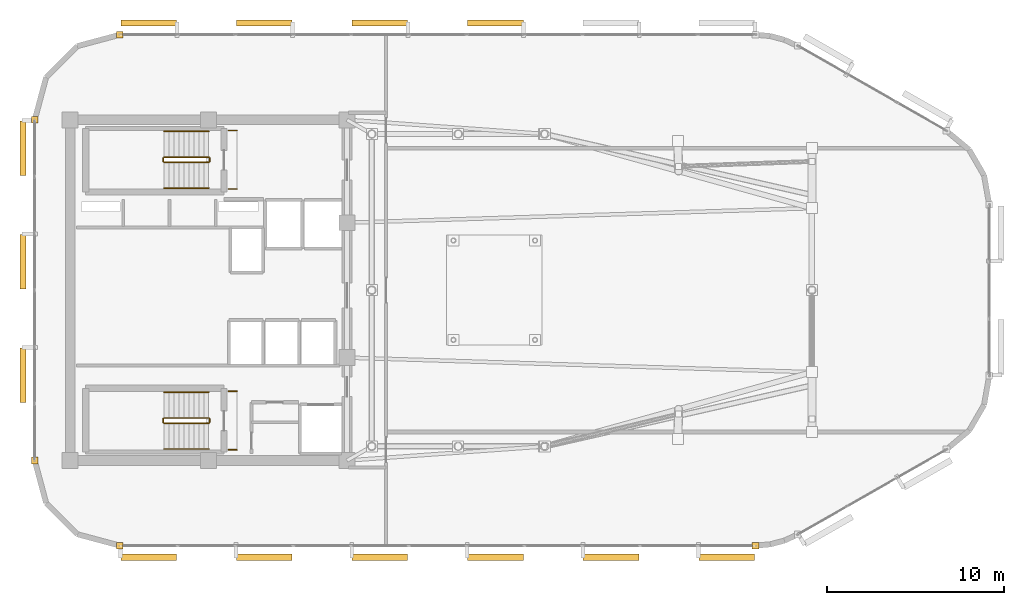
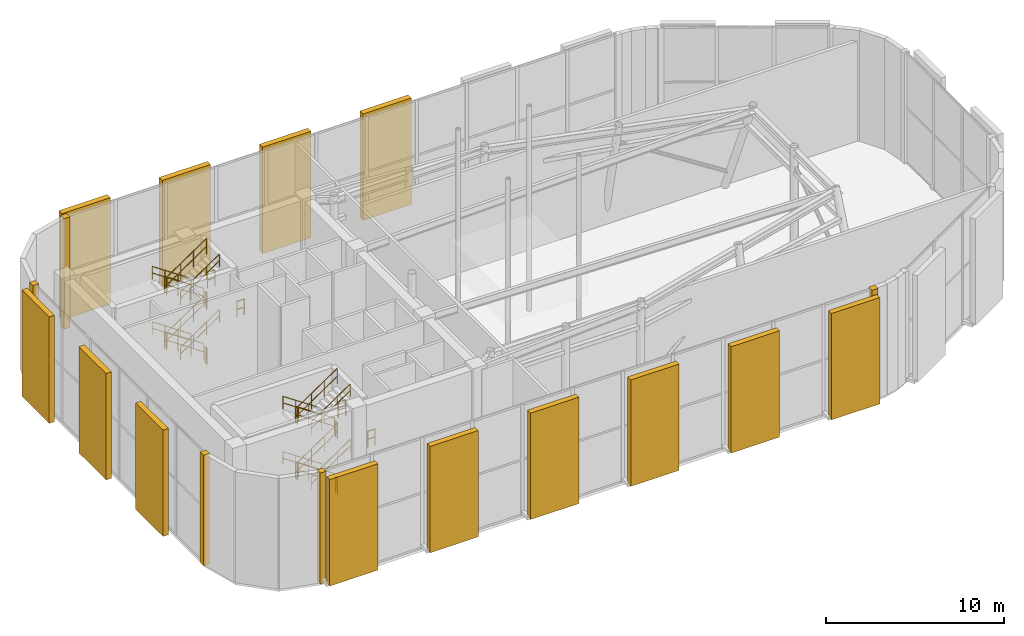
# One storey, part 21 of 22: 28 railings, 13 shading devices, 5 coverings.
"""IFC4 building model written with IfcOpenShell, lengths in metres."""

from ifc_helpers import new_model, si_unit, direction, frame, origin, origin_2d, place, context, subcontext, project, spatial, rectangle, circle, extrude, material, layer, layer_set, type_object, element, save


model = new_model("IFC4")

# Units and contexts
model_context = context("Model", 3, precision=1e-05, world=origin(), true_north=direction((0.0, 1.0)))
body_context = subcontext(model_context, "Body", "Model", "MODEL_VIEW")
ifc_project = project(units=[si_unit("LENGTHUNIT", "METRE"), si_unit("AREAUNIT", "SQUARE_METRE"), si_unit("VOLUMEUNIT", "CUBIC_METRE"), si_unit("PLANEANGLEUNIT", "RADIAN"), si_unit("MASSUNIT", "GRAM", prefix="KILO")], contexts=[model_context])

# Site, building, storey
site_placement = place(None, origin())
site = spatial("IfcSite", under=ifc_project, at=site_placement, CompositionType="ELEMENT")
building_placement = place(site_placement, origin())
building = spatial("IfcBuilding", under=site, at=building_placement, Name="An Khanh Terracotta Commons", CompositionType="ELEMENT")
storey_placement = place(building_placement, frame((0.0, 0.0, 300.39990234375)))
storey = spatial("IfcBuildingStorey", under=building, at=storey_placement, Name="L78 Crown Damper Chamber", CompositionType="ELEMENT", Elevation=300.39990234375)

# Coverings
ifc_material_1 = material(Name="Fired Terracotta Rainscreen Cladding", Category="masonry")
ifc_layer = layer(ifc_material_1, 0.080078125, Name="Fired Terracotta Rainscreen Cladding")
ifc_layer_set = layer_set([ifc_layer], Name="Fired Terracotta Rainscreen Cladding")
covering_type = type_object("IfcCoveringType", Name="COV-JAMB-TERRA", PredefinedType="CLADDING", material=ifc_layer_set)
for number, where, z_axis, x_axis, name in (
    (1, (24.39990234375, 9.60009765625, 0.0), (0.0, 0.0, 1.0), (1.0, 0.0, 0.0), "L78 Crown Damper Chamber CW-05 Curtain-Wall Jamb Closure JA"),
    (2, (60.22509765625, 9.60009765625, 0.0), (0.0, 0.0, 1.0), (1.0, 0.0, 0.0), "L78 Crown Damper Chamber CW-05 Curtain-Wall Jamb Closure JB"),
    (3, (24.39990234375, 38.39990234375, 0.0), (0.0, 0.0, 1.0), (1.0, 0.0, 0.0), "L78 Crown Damper Chamber CW-05 Curtain-Wall Jamb Closure JB"),
    (4, (19.60009765625, 33.60009765625, 0.0), (0.0, 0.0, 1.0), (1.0, 0.0, 0.0), "L78 Crown Damper Chamber CW-05 Curtain-Wall Jamb Closure JA"),
    (5, (19.60009765625, 14.39990234375, 0.0), (0.0, 0.0, 1.0), (1.0, 0.0, 0.0), "L78 Crown Damper Chamber CW-05 Curtain-Wall Jamb Closure JB"),
):
    element("IfcCovering", number, at=place(storey_placement, frame(where, z_axis=z_axis, x_axis=x_axis)), inside=storey, type_object=covering_type, Name=name, PredefinedType="CLADDING", context=body_context, shape_type="SweptSolid", body=[
        extrude(rectangle(XDim=0.3798828125, YDim=0.3798828125, at=origin_2d()), origin(), (0.0, 0.0, 1.0), 7.60009765625),
    ])

# Railings
ifc_material_2 = material(Name="Brushed Stainless Steel 316", Category="steel")
railing_type_1 = type_object("IfcRailingType", Name="RAIL-HANDRAIL-900", PredefinedType="HANDRAIL", material=ifc_material_2)
railing_1_placement = place(storey_placement, frame((29.409912109375, 32.949951171875, 0.190185546875)))
element("IfcRailing", 6, at=railing_1_placement, inside=storey, type_object=railing_type_1, Name="L78 Crown Damper Chamber ST-01 stair handrail 1", PredefinedType="HANDRAIL", context=body_context, shape_type="SweptSolid", body=[
    extrude(circle(Radius=0.02392578125, at=origin_2d()), frame((0.0, 0.0, 0.8759765625), z_axis=(-0.827483756001, 0.0, 0.561489655786), x_axis=(0.0, -1.0, 0.0)), (0.0, 0.0, 1.0), 3.04541015625),
    extrude(circle(Radius=0.02392578125, at=origin_2d()), frame((0.0, 0.0, 0.42578125), z_axis=(-0.827483756001, 0.0, 0.561489655786), x_axis=(0.0, -1.0, 0.0)), (0.0, 0.0, 1.0), 3.04541015625),
    extrude(circle(Radius=0.02099609375, at=origin_2d()), origin(), (0.0, 0.0, 1.0), 0.851806640625),
    extrude(circle(Radius=0.02099609375, at=origin_2d()), frame((-0.840087890625, 0.0, 0.570068359375)), (0.0, 0.0, 1.0), 0.851806640625),
    extrude(circle(Radius=0.02099609375, at=origin_2d()), frame((-1.679931640625, 0.0, 1.139892578125)), (0.0, 0.0, 1.0), 0.851806640625),
    extrude(circle(Radius=0.02099609375, at=origin_2d()), frame((-2.52001953125, 0.0, 1.7099609375)), (0.0, 0.0, 1.0), 0.851806640625),
])
railing_2_placement = place(storey_placement, frame((26.889892578125, 29.75, 2.090087890625)))
element("IfcRailing", 7, at=railing_2_placement, inside=storey, type_object=railing_type_1, Name="L78 Crown Damper Chamber ST-01 stair handrail 2", PredefinedType="HANDRAIL", context=body_context, shape_type="SweptSolid", body=[
    extrude(circle(Radius=0.02392578125, at=origin_2d()), frame((0.0, 0.0, 0.8759765625), z_axis=(0.827483756001, 0.0, 0.561489655786), x_axis=(0.0, 1.0, 0.0)), (0.0, 0.0, 1.0), 3.04541015625),
    extrude(circle(Radius=0.02392578125, at=origin_2d()), frame((0.0, 0.0, 0.42578125), z_axis=(0.827483756001, 0.0, 0.561489655786), x_axis=(0.0, 1.0, 0.0)), (0.0, 0.0, 1.0), 3.04541015625),
    extrude(circle(Radius=0.02099609375, at=origin_2d()), origin(), (0.0, 0.0, 1.0), 0.851806640625),
    extrude(circle(Radius=0.02099609375, at=origin_2d()), frame((0.840087890625, 0.0, 0.570068359375)), (0.0, 0.0, 1.0), 0.851806640625),
    extrude(circle(Radius=0.02099609375, at=origin_2d()), frame((1.679931640625, 0.0, 1.139892578125)), (0.0, 0.0, 1.0), 0.851806640625),
    extrude(circle(Radius=0.02099609375, at=origin_2d()), frame((2.52001953125, 0.0, 1.7099609375)), (0.0, 0.0, 1.0), 0.851806640625),
])
railing_3_placement = place(storey_placement, frame((29.409912109375, 32.949951171875, 3.989990234375)))
element("IfcRailing", 8, at=railing_3_placement, inside=storey, type_object=railing_type_1, Name="L78 Crown Damper Chamber ST-01 stair handrail 3", PredefinedType="HANDRAIL", context=body_context, shape_type="SweptSolid", body=[
    extrude(circle(Radius=0.02392578125, at=origin_2d()), frame((0.0, 0.0, 0.8759765625), z_axis=(-0.82744650838, 0.0, 0.561544544778), x_axis=(0.0, -1.0, 0.0)), (0.0, 0.0, 1.0), 3.045654296875),
    extrude(circle(Radius=0.02392578125, at=origin_2d()), frame((0.0, 0.0, 0.42578125), z_axis=(-0.82744650838, 0.0, 0.561544544778), x_axis=(0.0, -1.0, 0.0)), (0.0, 0.0, 1.0), 3.045654296875),
    extrude(circle(Radius=0.02099609375, at=origin_2d()), origin(), (0.0, 0.0, 1.0), 0.851806640625),
    extrude(circle(Radius=0.02099609375, at=origin_2d()), frame((-0.840087890625, 0.0, 0.570068359375)), (0.0, 0.0, 1.0), 0.851806640625),
    extrude(circle(Radius=0.02099609375, at=origin_2d()), frame((-1.679931640625, 0.0, 1.14013671875)), (0.0, 0.0, 1.0), 0.851806640625),
    extrude(circle(Radius=0.02099609375, at=origin_2d()), frame((-2.52001953125, 0.0, 1.710205078125)), (0.0, 0.0, 1.0), 0.851806640625),
])
railing_4_placement = place(storey_placement, frame((26.889892578125, 29.75, 5.89013671875)))
element("IfcRailing", 9, at=railing_4_placement, inside=storey, type_object=railing_type_1, Name="L78 Crown Damper Chamber ST-01 stair handrail 4", PredefinedType="HANDRAIL", context=body_context, shape_type="SweptSolid", body=[
    extrude(circle(Radius=0.02392578125, at=origin_2d()), frame((0.0, 0.0, 0.8759765625), z_axis=(0.827483756001, 0.0, 0.561489655786), x_axis=(0.0, 1.0, 0.0)), (0.0, 0.0, 1.0), 3.04541015625),
    extrude(circle(Radius=0.02392578125, at=origin_2d()), frame((0.0, 0.0, 0.42578125), z_axis=(0.827483756001, 0.0, 0.561489655786), x_axis=(0.0, 1.0, 0.0)), (0.0, 0.0, 1.0), 3.04541015625),
    extrude(circle(Radius=0.02099609375, at=origin_2d()), origin(), (0.0, 0.0, 1.0), 0.851806640625),
    extrude(circle(Radius=0.02099609375, at=origin_2d()), frame((0.840087890625, 0.0, 0.570068359375)), (0.0, 0.0, 1.0), 0.851806640625),
    extrude(circle(Radius=0.02099609375, at=origin_2d()), frame((1.679931640625, 0.0, 1.139892578125)), (0.0, 0.0, 1.0), 0.851806640625),
    extrude(circle(Radius=0.02099609375, at=origin_2d()), frame((2.52001953125, 0.0, 1.7099609375)), (0.0, 0.0, 1.0), 0.851806640625),
])
railing_5_placement = place(storey_placement, frame((29.409912109375, 18.25, 0.190185546875)))
element("IfcRailing", 10, at=railing_5_placement, inside=storey, type_object=railing_type_1, Name="L78 Crown Damper Chamber ST-02 stair handrail 1", PredefinedType="HANDRAIL", context=body_context, shape_type="SweptSolid", body=[
    extrude(circle(Radius=0.02392578125, at=origin_2d()), frame((0.0, 0.0, 0.8759765625), z_axis=(-0.827483756001, 0.0, 0.561489655786), x_axis=(0.0, -1.0, 0.0)), (0.0, 0.0, 1.0), 3.04541015625),
    extrude(circle(Radius=0.02392578125, at=origin_2d()), frame((0.0, 0.0, 0.42578125), z_axis=(-0.827483756001, 0.0, 0.561489655786), x_axis=(0.0, -1.0, 0.0)), (0.0, 0.0, 1.0), 3.04541015625),
    extrude(circle(Radius=0.02099609375, at=origin_2d()), origin(), (0.0, 0.0, 1.0), 0.851806640625),
    extrude(circle(Radius=0.02099609375, at=origin_2d()), frame((-0.840087890625, 0.0, 0.570068359375)), (0.0, 0.0, 1.0), 0.851806640625),
    extrude(circle(Radius=0.02099609375, at=origin_2d()), frame((-1.679931640625, 0.0, 1.139892578125)), (0.0, 0.0, 1.0), 0.851806640625),
    extrude(circle(Radius=0.02099609375, at=origin_2d()), frame((-2.52001953125, 0.0, 1.7099609375)), (0.0, 0.0, 1.0), 0.851806640625),
])
railing_6_placement = place(storey_placement, frame((26.889892578125, 15.050048828125, 2.090087890625)))
element("IfcRailing", 11, at=railing_6_placement, inside=storey, type_object=railing_type_1, Name="L78 Crown Damper Chamber ST-02 stair handrail 2", PredefinedType="HANDRAIL", context=body_context, shape_type="SweptSolid", body=[
    extrude(circle(Radius=0.02392578125, at=origin_2d()), frame((0.0, 0.0, 0.8759765625), z_axis=(0.827483756001, 0.0, 0.561489655786), x_axis=(0.0, 1.0, 0.0)), (0.0, 0.0, 1.0), 3.04541015625),
    extrude(circle(Radius=0.02392578125, at=origin_2d()), frame((0.0, 0.0, 0.42578125), z_axis=(0.827483756001, 0.0, 0.561489655786), x_axis=(0.0, 1.0, 0.0)), (0.0, 0.0, 1.0), 3.04541015625),
    extrude(circle(Radius=0.02099609375, at=origin_2d()), origin(), (0.0, 0.0, 1.0), 0.851806640625),
    extrude(circle(Radius=0.02099609375, at=origin_2d()), frame((0.840087890625, 0.0, 0.570068359375)), (0.0, 0.0, 1.0), 0.851806640625),
    extrude(circle(Radius=0.02099609375, at=origin_2d()), frame((1.679931640625, 0.0, 1.139892578125)), (0.0, 0.0, 1.0), 0.851806640625),
    extrude(circle(Radius=0.02099609375, at=origin_2d()), frame((2.52001953125, 0.0, 1.7099609375)), (0.0, 0.0, 1.0), 0.851806640625),
])
railing_7_placement = place(storey_placement, frame((29.409912109375, 18.25, 3.989990234375)))
element("IfcRailing", 12, at=railing_7_placement, inside=storey, type_object=railing_type_1, Name="L78 Crown Damper Chamber ST-02 stair handrail 3", PredefinedType="HANDRAIL", context=body_context, shape_type="SweptSolid", body=[
    extrude(circle(Radius=0.02392578125, at=origin_2d()), frame((0.0, 0.0, 0.8759765625), z_axis=(-0.82744650838, 0.0, 0.561544544778), x_axis=(0.0, -1.0, 0.0)), (0.0, 0.0, 1.0), 3.045654296875),
    extrude(circle(Radius=0.02392578125, at=origin_2d()), frame((0.0, 0.0, 0.42578125), z_axis=(-0.82744650838, 0.0, 0.561544544778), x_axis=(0.0, -1.0, 0.0)), (0.0, 0.0, 1.0), 3.045654296875),
    extrude(circle(Radius=0.02099609375, at=origin_2d()), origin(), (0.0, 0.0, 1.0), 0.851806640625),
    extrude(circle(Radius=0.02099609375, at=origin_2d()), frame((-0.840087890625, 0.0, 0.570068359375)), (0.0, 0.0, 1.0), 0.851806640625),
    extrude(circle(Radius=0.02099609375, at=origin_2d()), frame((-1.679931640625, 0.0, 1.14013671875)), (0.0, 0.0, 1.0), 0.851806640625),
    extrude(circle(Radius=0.02099609375, at=origin_2d()), frame((-2.52001953125, 0.0, 1.710205078125)), (0.0, 0.0, 1.0), 0.851806640625),
])
railing_8_placement = place(storey_placement, frame((26.889892578125, 15.050048828125, 5.89013671875)))
element("IfcRailing", 13, at=railing_8_placement, inside=storey, type_object=railing_type_1, Name="L78 Crown Damper Chamber ST-02 stair handrail 4", PredefinedType="HANDRAIL", context=body_context, shape_type="SweptSolid", body=[
    extrude(circle(Radius=0.02392578125, at=origin_2d()), frame((0.0, 0.0, 0.8759765625), z_axis=(0.827483756001, 0.0, 0.561489655786), x_axis=(0.0, 1.0, 0.0)), (0.0, 0.0, 1.0), 3.04541015625),
    extrude(circle(Radius=0.02392578125, at=origin_2d()), frame((0.0, 0.0, 0.42578125), z_axis=(0.827483756001, 0.0, 0.561489655786), x_axis=(0.0, 1.0, 0.0)), (0.0, 0.0, 1.0), 3.04541015625),
    extrude(circle(Radius=0.02099609375, at=origin_2d()), origin(), (0.0, 0.0, 1.0), 0.851806640625),
    extrude(circle(Radius=0.02099609375, at=origin_2d()), frame((0.840087890625, 0.0, 0.570068359375)), (0.0, 0.0, 1.0), 0.851806640625),
    extrude(circle(Radius=0.02099609375, at=origin_2d()), frame((1.679931640625, 0.0, 1.139892578125)), (0.0, 0.0, 1.0), 0.851806640625),
    extrude(circle(Radius=0.02099609375, at=origin_2d()), frame((2.52001953125, 0.0, 1.7099609375)), (0.0, 0.0, 1.0), 0.851806640625),
])
ifc_material_3 = material(Name="Powder-Coated Steel S355J2", Category="steel")
railing_type_2 = type_object("IfcRailingType", Name="RAIL-STAIR-GUARD-1100", PredefinedType="BALUSTRADE", material=ifc_material_3)
railing_9_placement = place(storey_placement, frame((29.409912109375, 31.5, 0.190185546875)))
element("IfcRailing", 14, at=railing_9_placement, inside=storey, type_object=railing_type_2, Name="L78 Crown Damper Chamber ST-01 stair guard 1", PredefinedType="BALUSTRADE", context=body_context, shape_type="SweptSolid", body=[
    extrude(circle(Radius=0.02392578125, at=origin_2d()), frame((0.0, 0.0, 1.076171875), z_axis=(-0.827483756001, 0.0, 0.561489655786), x_axis=(0.0, -1.0, 0.0)), (0.0, 0.0, 1.0), 3.04541015625),
    extrude(circle(Radius=0.02392578125, at=origin_2d()), frame((0.0, 0.0, 0.52587890625), z_axis=(-0.827483756001, 0.0, 0.561489655786), x_axis=(0.0, -1.0, 0.0)), (0.0, 0.0, 1.0), 3.04541015625),
    extrude(circle(Radius=0.02099609375, at=origin_2d()), origin(), (0.0, 0.0, 1.0), 1.052001953125),
    extrude(circle(Radius=0.02099609375, at=origin_2d()), frame((-0.840087890625, 0.0, 0.570068359375)), (0.0, 0.0, 1.0), 1.052001953125),
    extrude(circle(Radius=0.02099609375, at=origin_2d()), frame((-1.679931640625, 0.0, 1.139892578125)), (0.0, 0.0, 1.0), 1.052001953125),
    extrude(circle(Radius=0.02099609375, at=origin_2d()), frame((-2.52001953125, 0.0, 1.7099609375)), (0.0, 0.0, 1.0), 1.052001953125),
])
railing_10_placement = place(storey_placement, frame((26.840087890625, 31.449951171875, 1.900146484375)))
element("IfcRailing", 15, at=railing_10_placement, inside=storey, type_object=railing_type_2, Name="L78 Crown Damper Chamber ST-01 stair guard 2", PredefinedType="BALUSTRADE", context=body_context, shape_type="SweptSolid", body=[
    extrude(circle(Radius=0.02392578125, at=origin_2d()), frame((0.0, 0.0, 1.076171875), z_axis=(0.0, -1.0, 0.0), x_axis=(1.0, 0.0, 0.0)), (0.0, 0.0, 1.0), 0.199951171875),
    extrude(circle(Radius=0.02392578125, at=origin_2d()), frame((0.0, 0.0, 0.52587890625), z_axis=(0.0, -1.0, 0.0), x_axis=(1.0, 0.0, 0.0)), (0.0, 0.0, 1.0), 0.199951171875),
    extrude(circle(Radius=0.02099609375, at=origin_2d()), origin(), (0.0, 0.0, 1.0), 1.052001953125),
    extrude(circle(Radius=0.02099609375, at=origin_2d()), frame((0.0, -0.199951171875, 0.0)), (0.0, 0.0, 1.0), 1.052001953125),
])
railing_11_placement = place(storey_placement, frame((26.889892578125, 31.199951171875, 2.090087890625)))
element("IfcRailing", 16, at=railing_11_placement, inside=storey, type_object=railing_type_2, Name="L78 Crown Damper Chamber ST-01 stair guard 3", PredefinedType="BALUSTRADE", context=body_context, shape_type="SweptSolid", body=[
    extrude(circle(Radius=0.02392578125, at=origin_2d()), frame((0.0, 0.0, 1.076171875), z_axis=(0.827483756001, 0.0, 0.561489655786), x_axis=(0.0, 1.0, 0.0)), (0.0, 0.0, 1.0), 3.04541015625),
    extrude(circle(Radius=0.02392578125, at=origin_2d()), frame((0.0, 0.0, 0.52587890625), z_axis=(0.827483756001, 0.0, 0.561489655786), x_axis=(0.0, 1.0, 0.0)), (0.0, 0.0, 1.0), 3.04541015625),
    extrude(circle(Radius=0.02099609375, at=origin_2d()), origin(), (0.0, 0.0, 1.0), 1.052001953125),
    extrude(circle(Radius=0.02099609375, at=origin_2d()), frame((0.840087890625, 0.0, 0.570068359375)), (0.0, 0.0, 1.0), 1.052001953125),
    extrude(circle(Radius=0.02099609375, at=origin_2d()), frame((1.679931640625, 0.0, 1.139892578125)), (0.0, 0.0, 1.0), 1.052001953125),
    extrude(circle(Radius=0.02099609375, at=origin_2d()), frame((2.52001953125, 0.0, 1.7099609375)), (0.0, 0.0, 1.0), 1.052001953125),
])
railing_12_placement = place(storey_placement, frame((29.4599609375, 31.449951171875, 3.800048828125)))
element("IfcRailing", 17, at=railing_12_placement, inside=storey, type_object=railing_type_2, Name="L78 Crown Damper Chamber ST-01 stair guard 4", PredefinedType="BALUSTRADE", context=body_context, shape_type="SweptSolid", body=[
    extrude(circle(Radius=0.02392578125, at=origin_2d()), frame((0.0, 0.0, 1.076171875), z_axis=(0.0, -1.0, 0.0), x_axis=(1.0, 0.0, 0.0)), (0.0, 0.0, 1.0), 0.199951171875),
    extrude(circle(Radius=0.02392578125, at=origin_2d()), frame((0.0, 0.0, 0.52587890625), z_axis=(0.0, -1.0, 0.0), x_axis=(1.0, 0.0, 0.0)), (0.0, 0.0, 1.0), 0.199951171875),
    extrude(circle(Radius=0.02099609375, at=origin_2d()), origin(), (0.0, 0.0, 1.0), 1.052001953125),
    extrude(circle(Radius=0.02099609375, at=origin_2d()), frame((0.0, -0.199951171875, 0.0)), (0.0, 0.0, 1.0), 1.052001953125),
])
railing_13_placement = place(storey_placement, frame((29.409912109375, 31.5, 3.989990234375)))
element("IfcRailing", 18, at=railing_13_placement, inside=storey, type_object=railing_type_2, Name="L78 Crown Damper Chamber ST-01 stair guard 5", PredefinedType="BALUSTRADE", context=body_context, shape_type="SweptSolid", body=[
    extrude(circle(Radius=0.02392578125, at=origin_2d()), frame((0.0, 0.0, 1.076171875), z_axis=(-0.82744650838, 0.0, 0.561544544778), x_axis=(0.0, -1.0, 0.0)), (0.0, 0.0, 1.0), 3.045654296875),
    extrude(circle(Radius=0.02392578125, at=origin_2d()), frame((0.0, 0.0, 0.52587890625), z_axis=(-0.82744650838, 0.0, 0.561544544778), x_axis=(0.0, -1.0, 0.0)), (0.0, 0.0, 1.0), 3.045654296875),
    extrude(circle(Radius=0.02099609375, at=origin_2d()), origin(), (0.0, 0.0, 1.0), 1.052001953125),
    extrude(circle(Radius=0.02099609375, at=origin_2d()), frame((-0.840087890625, 0.0, 0.570068359375)), (0.0, 0.0, 1.0), 1.052001953125),
    extrude(circle(Radius=0.02099609375, at=origin_2d()), frame((-1.679931640625, 0.0, 1.14013671875)), (0.0, 0.0, 1.0), 1.052001953125),
    extrude(circle(Radius=0.02099609375, at=origin_2d()), frame((-2.52001953125, 0.0, 1.710205078125)), (0.0, 0.0, 1.0), 1.052001953125),
])
railing_14_placement = place(storey_placement, frame((26.840087890625, 31.449951171875, 5.7001953125)))
element("IfcRailing", 19, at=railing_14_placement, inside=storey, type_object=railing_type_2, Name="L78 Crown Damper Chamber ST-01 stair guard 6", PredefinedType="BALUSTRADE", context=body_context, shape_type="SweptSolid", body=[
    extrude(circle(Radius=0.02392578125, at=origin_2d()), frame((0.0, 0.0, 1.076171875), z_axis=(0.0, -1.0, 0.0), x_axis=(1.0, 0.0, 0.0)), (0.0, 0.0, 1.0), 0.199951171875),
    extrude(circle(Radius=0.02392578125, at=origin_2d()), frame((0.0, 0.0, 0.52587890625), z_axis=(0.0, -1.0, 0.0), x_axis=(1.0, 0.0, 0.0)), (0.0, 0.0, 1.0), 0.199951171875),
    extrude(circle(Radius=0.02099609375, at=origin_2d()), origin(), (0.0, 0.0, 1.0), 1.052001953125),
    extrude(circle(Radius=0.02099609375, at=origin_2d()), frame((0.0, -0.199951171875, 0.0)), (0.0, 0.0, 1.0), 1.052001953125),
])
railing_15_placement = place(storey_placement, frame((26.889892578125, 31.199951171875, 5.89013671875)))
element("IfcRailing", 20, at=railing_15_placement, inside=storey, type_object=railing_type_2, Name="L78 Crown Damper Chamber ST-01 stair guard 7", PredefinedType="BALUSTRADE", context=body_context, shape_type="SweptSolid", body=[
    extrude(circle(Radius=0.02392578125, at=origin_2d()), frame((0.0, 0.0, 1.076171875), z_axis=(0.827483756001, 0.0, 0.561489655786), x_axis=(0.0, 1.0, 0.0)), (0.0, 0.0, 1.0), 3.04541015625),
    extrude(circle(Radius=0.02392578125, at=origin_2d()), frame((0.0, 0.0, 0.52587890625), z_axis=(0.827483756001, 0.0, 0.561489655786), x_axis=(0.0, 1.0, 0.0)), (0.0, 0.0, 1.0), 3.04541015625),
    extrude(circle(Radius=0.02099609375, at=origin_2d()), origin(), (0.0, 0.0, 1.0), 1.052001953125),
    extrude(circle(Radius=0.02099609375, at=origin_2d()), frame((0.840087890625, 0.0, 0.570068359375)), (0.0, 0.0, 1.0), 1.052001953125),
    extrude(circle(Radius=0.02099609375, at=origin_2d()), frame((1.679931640625, 0.0, 1.139892578125)), (0.0, 0.0, 1.0), 1.052001953125),
    extrude(circle(Radius=0.02099609375, at=origin_2d()), frame((2.52001953125, 0.0, 1.7099609375)), (0.0, 0.0, 1.0), 1.052001953125),
])
railing_16_placement = place(storey_placement, frame((29.4599609375, 31.449951171875, 0.0)))
element("IfcRailing", 21, at=railing_16_placement, inside=storey, type_object=railing_type_2, Name="L78 Crown Damper Chamber ST-01 stair guard 8", PredefinedType="BALUSTRADE", context=body_context, shape_type="SweptSolid", body=[
    extrude(circle(Radius=0.02392578125, at=origin_2d()), frame((0.0, 0.0, 1.076171875), z_axis=(0.0, -1.0, 0.0), x_axis=(1.0, 0.0, 0.0)), (0.0, 0.0, 1.0), 0.199951171875),
    extrude(circle(Radius=0.02392578125, at=origin_2d()), frame((0.0, 0.0, 0.52587890625), z_axis=(0.0, -1.0, 0.0), x_axis=(1.0, 0.0, 0.0)), (0.0, 0.0, 1.0), 0.199951171875),
    extrude(circle(Radius=0.02099609375, at=origin_2d()), origin(), (0.0, 0.0, 1.0), 1.052001953125),
    extrude(circle(Radius=0.02099609375, at=origin_2d()), frame((0.0, -0.199951171875, 0.0)), (0.0, 0.0, 1.0), 1.052001953125),
])
railing_17_placement = place(storey_placement, frame((29.409912109375, 16.800048828125, 0.190185546875)))
element("IfcRailing", 22, at=railing_17_placement, inside=storey, type_object=railing_type_2, Name="L78 Crown Damper Chamber ST-02 stair guard 1", PredefinedType="BALUSTRADE", context=body_context, shape_type="SweptSolid", body=[
    extrude(circle(Radius=0.02392578125, at=origin_2d()), frame((0.0, 0.0, 1.076171875), z_axis=(-0.827483756001, 0.0, 0.561489655786), x_axis=(0.0, -1.0, 0.0)), (0.0, 0.0, 1.0), 3.04541015625),
    extrude(circle(Radius=0.02392578125, at=origin_2d()), frame((0.0, 0.0, 0.52587890625), z_axis=(-0.827483756001, 0.0, 0.561489655786), x_axis=(0.0, -1.0, 0.0)), (0.0, 0.0, 1.0), 3.04541015625),
    extrude(circle(Radius=0.02099609375, at=origin_2d()), origin(), (0.0, 0.0, 1.0), 1.052001953125),
    extrude(circle(Radius=0.02099609375, at=origin_2d()), frame((-0.840087890625, 0.0, 0.570068359375)), (0.0, 0.0, 1.0), 1.052001953125),
    extrude(circle(Radius=0.02099609375, at=origin_2d()), frame((-1.679931640625, 0.0, 1.139892578125)), (0.0, 0.0, 1.0), 1.052001953125),
    extrude(circle(Radius=0.02099609375, at=origin_2d()), frame((-2.52001953125, 0.0, 1.7099609375)), (0.0, 0.0, 1.0), 1.052001953125),
])
railing_18_placement = place(storey_placement, frame((26.840087890625, 16.75, 1.900146484375)))
element("IfcRailing", 23, at=railing_18_placement, inside=storey, type_object=railing_type_2, Name="L78 Crown Damper Chamber ST-02 stair guard 2", PredefinedType="BALUSTRADE", context=body_context, shape_type="SweptSolid", body=[
    extrude(circle(Radius=0.02392578125, at=origin_2d()), frame((0.0, 0.0, 1.076171875), z_axis=(0.0, -1.0, 0.0), x_axis=(1.0, 0.0, 0.0)), (0.0, 0.0, 1.0), 0.199951171875),
    extrude(circle(Radius=0.02392578125, at=origin_2d()), frame((0.0, 0.0, 0.52587890625), z_axis=(0.0, -1.0, 0.0), x_axis=(1.0, 0.0, 0.0)), (0.0, 0.0, 1.0), 0.199951171875),
    extrude(circle(Radius=0.02099609375, at=origin_2d()), origin(), (0.0, 0.0, 1.0), 1.052001953125),
    extrude(circle(Radius=0.02099609375, at=origin_2d()), frame((0.0, -0.199951171875, 0.0)), (0.0, 0.0, 1.0), 1.052001953125),
])
railing_19_placement = place(storey_placement, frame((26.889892578125, 16.5, 2.090087890625)))
element("IfcRailing", 24, at=railing_19_placement, inside=storey, type_object=railing_type_2, Name="L78 Crown Damper Chamber ST-02 stair guard 3", PredefinedType="BALUSTRADE", context=body_context, shape_type="SweptSolid", body=[
    extrude(circle(Radius=0.02392578125, at=origin_2d()), frame((0.0, 0.0, 1.076171875), z_axis=(0.827483756001, 0.0, 0.561489655786), x_axis=(0.0, 1.0, 0.0)), (0.0, 0.0, 1.0), 3.04541015625),
    extrude(circle(Radius=0.02392578125, at=origin_2d()), frame((0.0, 0.0, 0.52587890625), z_axis=(0.827483756001, 0.0, 0.561489655786), x_axis=(0.0, 1.0, 0.0)), (0.0, 0.0, 1.0), 3.04541015625),
    extrude(circle(Radius=0.02099609375, at=origin_2d()), origin(), (0.0, 0.0, 1.0), 1.052001953125),
    extrude(circle(Radius=0.02099609375, at=origin_2d()), frame((0.840087890625, 0.0, 0.570068359375)), (0.0, 0.0, 1.0), 1.052001953125),
    extrude(circle(Radius=0.02099609375, at=origin_2d()), frame((1.679931640625, 0.0, 1.139892578125)), (0.0, 0.0, 1.0), 1.052001953125),
    extrude(circle(Radius=0.02099609375, at=origin_2d()), frame((2.52001953125, 0.0, 1.7099609375)), (0.0, 0.0, 1.0), 1.052001953125),
])
railing_20_placement = place(storey_placement, frame((29.4599609375, 16.75, 3.800048828125)))
element("IfcRailing", 25, at=railing_20_placement, inside=storey, type_object=railing_type_2, Name="L78 Crown Damper Chamber ST-02 stair guard 4", PredefinedType="BALUSTRADE", context=body_context, shape_type="SweptSolid", body=[
    extrude(circle(Radius=0.02392578125, at=origin_2d()), frame((0.0, 0.0, 1.076171875), z_axis=(0.0, -1.0, 0.0), x_axis=(1.0, 0.0, 0.0)), (0.0, 0.0, 1.0), 0.199951171875),
    extrude(circle(Radius=0.02392578125, at=origin_2d()), frame((0.0, 0.0, 0.52587890625), z_axis=(0.0, -1.0, 0.0), x_axis=(1.0, 0.0, 0.0)), (0.0, 0.0, 1.0), 0.199951171875),
    extrude(circle(Radius=0.02099609375, at=origin_2d()), origin(), (0.0, 0.0, 1.0), 1.052001953125),
    extrude(circle(Radius=0.02099609375, at=origin_2d()), frame((0.0, -0.199951171875, 0.0)), (0.0, 0.0, 1.0), 1.052001953125),
])
railing_21_placement = place(storey_placement, frame((29.409912109375, 16.800048828125, 3.989990234375)))
element("IfcRailing", 26, at=railing_21_placement, inside=storey, type_object=railing_type_2, Name="L78 Crown Damper Chamber ST-02 stair guard 5", PredefinedType="BALUSTRADE", context=body_context, shape_type="SweptSolid", body=[
    extrude(circle(Radius=0.02392578125, at=origin_2d()), frame((0.0, 0.0, 1.076171875), z_axis=(-0.82744650838, 0.0, 0.561544544778), x_axis=(0.0, -1.0, 0.0)), (0.0, 0.0, 1.0), 3.045654296875),
    extrude(circle(Radius=0.02392578125, at=origin_2d()), frame((0.0, 0.0, 0.52587890625), z_axis=(-0.82744650838, 0.0, 0.561544544778), x_axis=(0.0, -1.0, 0.0)), (0.0, 0.0, 1.0), 3.045654296875),
    extrude(circle(Radius=0.02099609375, at=origin_2d()), origin(), (0.0, 0.0, 1.0), 1.052001953125),
    extrude(circle(Radius=0.02099609375, at=origin_2d()), frame((-0.840087890625, 0.0, 0.570068359375)), (0.0, 0.0, 1.0), 1.052001953125),
    extrude(circle(Radius=0.02099609375, at=origin_2d()), frame((-1.679931640625, 0.0, 1.14013671875)), (0.0, 0.0, 1.0), 1.052001953125),
    extrude(circle(Radius=0.02099609375, at=origin_2d()), frame((-2.52001953125, 0.0, 1.710205078125)), (0.0, 0.0, 1.0), 1.052001953125),
])
railing_22_placement = place(storey_placement, frame((26.840087890625, 16.75, 5.7001953125)))
element("IfcRailing", 27, at=railing_22_placement, inside=storey, type_object=railing_type_2, Name="L78 Crown Damper Chamber ST-02 stair guard 6", PredefinedType="BALUSTRADE", context=body_context, shape_type="SweptSolid", body=[
    extrude(circle(Radius=0.02392578125, at=origin_2d()), frame((0.0, 0.0, 1.076171875), z_axis=(0.0, -1.0, 0.0), x_axis=(1.0, 0.0, 0.0)), (0.0, 0.0, 1.0), 0.199951171875),
    extrude(circle(Radius=0.02392578125, at=origin_2d()), frame((0.0, 0.0, 0.52587890625), z_axis=(0.0, -1.0, 0.0), x_axis=(1.0, 0.0, 0.0)), (0.0, 0.0, 1.0), 0.199951171875),
    extrude(circle(Radius=0.02099609375, at=origin_2d()), origin(), (0.0, 0.0, 1.0), 1.052001953125),
    extrude(circle(Radius=0.02099609375, at=origin_2d()), frame((0.0, -0.199951171875, 0.0)), (0.0, 0.0, 1.0), 1.052001953125),
])
railing_23_placement = place(storey_placement, frame((26.889892578125, 16.5, 5.89013671875)))
element("IfcRailing", 28, at=railing_23_placement, inside=storey, type_object=railing_type_2, Name="L78 Crown Damper Chamber ST-02 stair guard 7", PredefinedType="BALUSTRADE", context=body_context, shape_type="SweptSolid", body=[
    extrude(circle(Radius=0.02392578125, at=origin_2d()), frame((0.0, 0.0, 1.076171875), z_axis=(0.827483756001, 0.0, 0.561489655786), x_axis=(0.0, 1.0, 0.0)), (0.0, 0.0, 1.0), 3.04541015625),
    extrude(circle(Radius=0.02392578125, at=origin_2d()), frame((0.0, 0.0, 0.52587890625), z_axis=(0.827483756001, 0.0, 0.561489655786), x_axis=(0.0, 1.0, 0.0)), (0.0, 0.0, 1.0), 3.04541015625),
    extrude(circle(Radius=0.02099609375, at=origin_2d()), origin(), (0.0, 0.0, 1.0), 1.052001953125),
    extrude(circle(Radius=0.02099609375, at=origin_2d()), frame((0.840087890625, 0.0, 0.570068359375)), (0.0, 0.0, 1.0), 1.052001953125),
    extrude(circle(Radius=0.02099609375, at=origin_2d()), frame((1.679931640625, 0.0, 1.139892578125)), (0.0, 0.0, 1.0), 1.052001953125),
    extrude(circle(Radius=0.02099609375, at=origin_2d()), frame((2.52001953125, 0.0, 1.7099609375)), (0.0, 0.0, 1.0), 1.052001953125),
])
railing_24_placement = place(storey_placement, frame((29.4599609375, 16.75, 0.0)))
element("IfcRailing", 29, at=railing_24_placement, inside=storey, type_object=railing_type_2, Name="L78 Crown Damper Chamber ST-02 stair guard 8", PredefinedType="BALUSTRADE", context=body_context, shape_type="SweptSolid", body=[
    extrude(circle(Radius=0.02392578125, at=origin_2d()), frame((0.0, 0.0, 1.076171875), z_axis=(0.0, -1.0, 0.0), x_axis=(1.0, 0.0, 0.0)), (0.0, 0.0, 1.0), 0.199951171875),
    extrude(circle(Radius=0.02392578125, at=origin_2d()), frame((0.0, 0.0, 0.52587890625), z_axis=(0.0, -1.0, 0.0), x_axis=(1.0, 0.0, 0.0)), (0.0, 0.0, 1.0), 0.199951171875),
    extrude(circle(Radius=0.02099609375, at=origin_2d()), origin(), (0.0, 0.0, 1.0), 1.052001953125),
    extrude(circle(Radius=0.02099609375, at=origin_2d()), frame((0.0, -0.199951171875, 0.0)), (0.0, 0.0, 1.0), 1.052001953125),
])
for number, where, name in (
    (30, (30.52001953125, 29.699951171875, 3.800048828125), "L78 Stair Landing Well Return Guard 1"),
    (31, (30.52001953125, 33.0, 3.800048828125), "L78 Stair Landing Well Return Guard 2"),
    (32, (30.52001953125, 15.0, 3.800048828125), "L78 Stair Landing Well Return Guard 3"),
    (33, (30.52001953125, 18.300048828125, 3.800048828125), "L78 Stair Landing Well Return Guard 4"),
):
    element("IfcRailing", number, at=place(storey_placement, frame(where)), inside=storey, type_object=railing_type_2, Name=name, PredefinedType="BALUSTRADE", context=body_context, shape_type="SweptSolid", body=[
        extrude(circle(Radius=0.02392578125, at=origin_2d()), frame((0.0, 0.0, 1.076171875), z_axis=(1.0, 0.0, 0.0), x_axis=(0.0, 1.0, 0.0)), (0.0, 0.0, 1.0), 0.47998046875),
        extrude(circle(Radius=0.02392578125, at=origin_2d()), frame((0.0, 0.0, 0.52587890625), z_axis=(1.0, 0.0, 0.0), x_axis=(0.0, 1.0, 0.0)), (0.0, 0.0, 1.0), 0.47998046875),
        extrude(circle(Radius=0.02099609375, at=origin_2d()), origin(), (0.0, 0.0, 1.0), 1.052001953125),
        extrude(circle(Radius=0.02099609375, at=origin_2d()), frame((0.47998046875, 0.0, 0.0)), (0.0, 0.0, 1.0), 1.052001953125),
    ])

# Shading devices
ifc_material_4 = material(Name="Extruded Fired Terracotta", Category="masonry")
shading_device_type = type_object("IfcShadingDeviceType", Name="Terracotta Baguette Screen Assembly", PredefinedType="USERDEFINED", material=ifc_material_4)
for number, where, z_axis, x_axis, name in (
    (34, (26.028076171875, 8.949951171875, 0.14990234375), (0.0, 0.0, 1.0), (1.0, 0.0, 0.0), "L78 Crown Damper Chamber Terracotta Baguette Screen 1"),
    (35, (32.5419921875, 8.949951171875, 0.14990234375), (0.0, 0.0, 1.0), (1.0, 0.0, 0.0), "L78 Crown Damper Chamber Terracotta Baguette Screen 3"),
    (36, (39.055908203125, 8.949951171875, 0.14990234375), (0.0, 0.0, 1.0), (1.0, 0.0, 0.0), "L78 Crown Damper Chamber Terracotta Baguette Screen 5"),
    (37, (45.569091796875, 8.949951171875, 0.14990234375), (0.0, 0.0, 1.0), (1.0, 0.0, 0.0), "L78 Crown Damper Chamber Terracotta Baguette Screen 7"),
    (38, (52.0830078125, 8.949951171875, 0.14990234375), (0.0, 0.0, 1.0), (1.0, 0.0, 0.0), "L78 Crown Damper Chamber Terracotta Baguette Screen 9"),
    (39, (58.596923828125, 8.949951171875, 0.14990234375), (0.0, 0.0, 1.0), (1.0, 0.0, 0.0), "L78 Crown Damper Chamber Terracotta Baguette Screen 11"),
    (40, (45.569091796875, 39.050048828125, 0.14990234375), (0.0, 0.0, 1.0), (-1.0, 0.0, 0.0), "L78 Crown Damper Chamber Terracotta Baguette Screen 5"),
    (41, (39.055908203125, 39.050048828125, 0.14990234375), (0.0, 0.0, 1.0), (-1.0, 0.0, 0.0), "L78 Crown Damper Chamber Terracotta Baguette Screen 7"),
    (42, (32.5419921875, 39.050048828125, 0.14990234375), (0.0, 0.0, 1.0), (-1.0, 0.0, 0.0), "L78 Crown Damper Chamber Terracotta Baguette Screen 9"),
    (43, (26.028076171875, 39.050048828125, 0.14990234375), (0.0, 0.0, 1.0), (-1.0, 0.0, 0.0), "L78 Crown Damper Chamber Terracotta Baguette Screen 11"),
):
    element("IfcShadingDevice", number, at=place(storey_placement, frame(where, z_axis=z_axis, x_axis=x_axis)), inside=storey, type_object=shading_device_type, Name=name, ObjectType="BAGUETTE", PredefinedType="USERDEFINED", context=body_context, shape_type="SweptSolid", body=[
        extrude(rectangle(XDim=3.136962890625, YDim=0.35009765625, at=origin_2d()), origin(), (0.0, 0.0, 1.0), 7.300048828125),
    ])
for number, where, z_axis, x_axis, name in (
    (44, (18.949951171875, 32.0, 0.14990234375), (0.0, 0.0, 1.0), (0.0, -1.0, 0.0), "L78 Crown Damper Chamber Terracotta Baguette Screen 1"),
    (45, (18.949951171875, 25.60009765625, 0.14990234375), (0.0, 0.0, 1.0), (0.0, -1.0, 0.0), "L78 Crown Damper Chamber Terracotta Baguette Screen 3"),
    (46, (18.949951171875, 19.199951171875, 0.14990234375), (0.0, 0.0, 1.0), (0.0, -1.0, 0.0), "L78 Crown Damper Chamber Terracotta Baguette Screen 5"),
):
    element("IfcShadingDevice", number, at=place(storey_placement, frame(where, z_axis=z_axis, x_axis=x_axis)), inside=storey, type_object=shading_device_type, Name=name, ObjectType="BAGUETTE", PredefinedType="USERDEFINED", context=body_context, shape_type="SweptSolid", body=[
        extrude(rectangle(XDim=3.080078125, YDim=0.35009765625, at=origin_2d()), origin(), (0.0, 0.0, 1.0), 7.300048828125),
    ])

save(model, "model.ifc")
